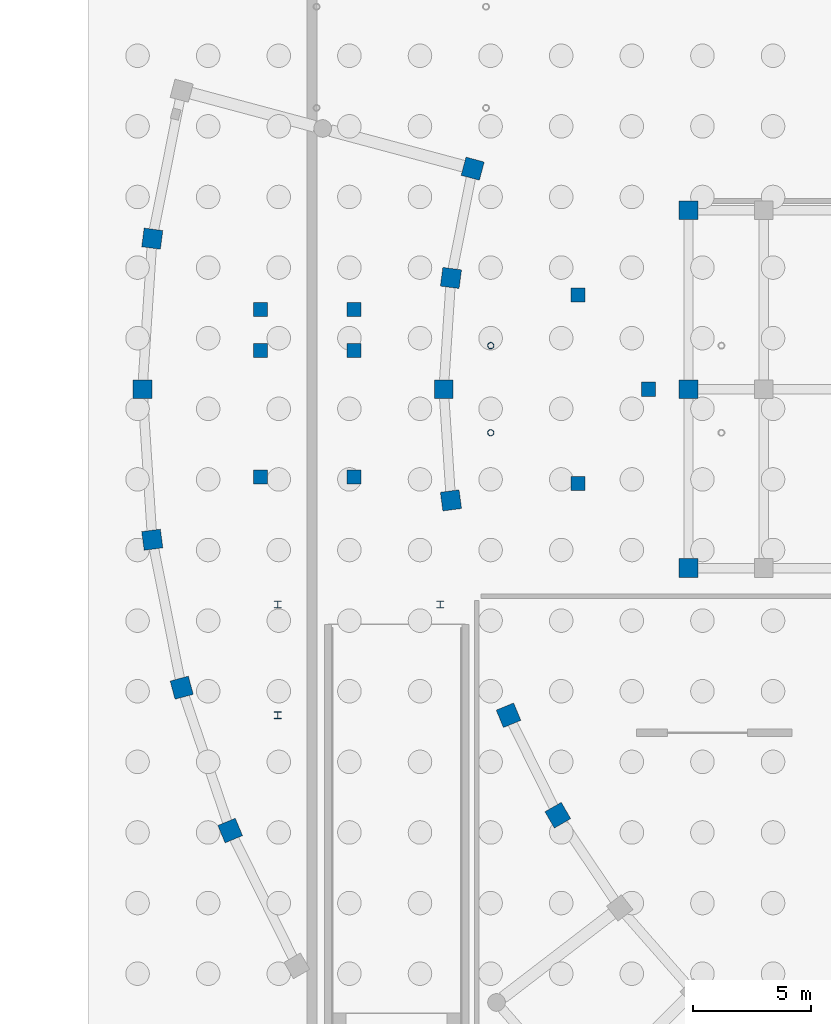
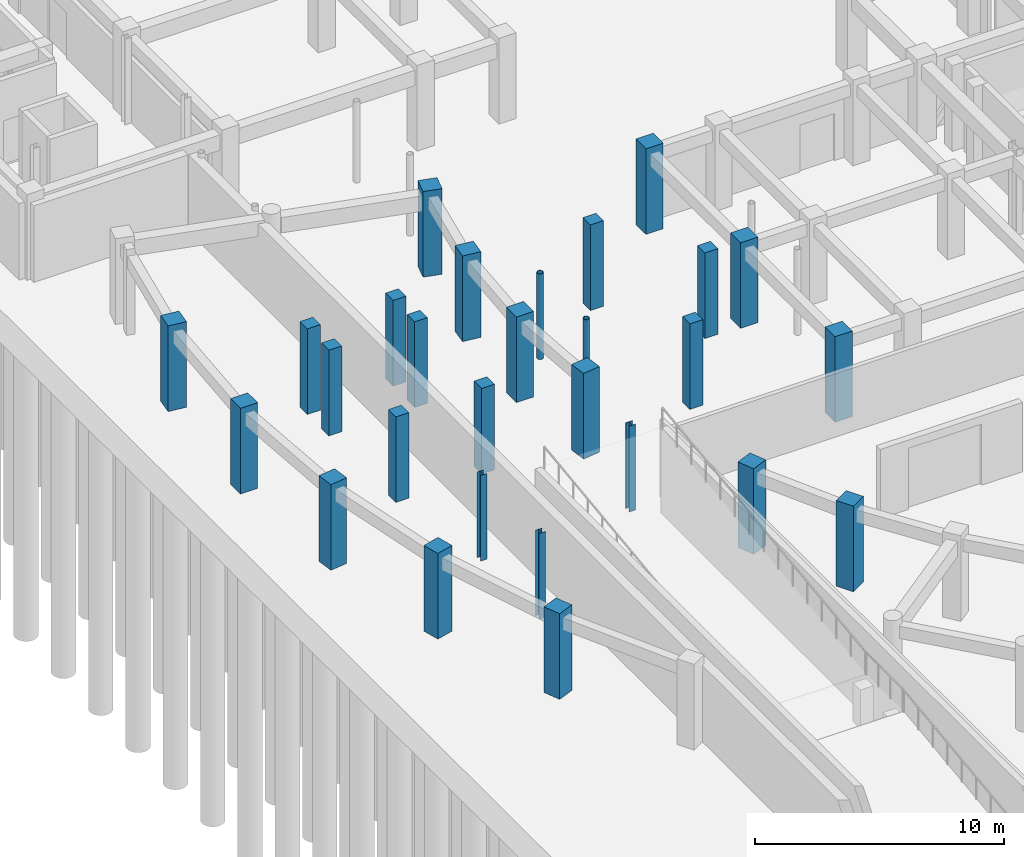
# One storey, part 9 of 33: 28 columns.
"""IFC4 building model written with IfcOpenShell, lengths in metres."""

from ifc_helpers import new_model, si_unit, direction, frame, origin, origin_2d, place, context, subcontext, project, spatial, rectangle, hollow_circle, i_section, extrude, material, material_profile, profile_set, type_object, element, save


model = new_model("IFC4")

# Units and contexts
model_context = context("Model", 3, precision=1e-05, world=origin(), true_north=direction((0.0, 1.0)))
body_context = subcontext(model_context, "Body", "Model", "MODEL_VIEW")
ifc_project = project(units=[si_unit("LENGTHUNIT", "METRE"), si_unit("AREAUNIT", "SQUARE_METRE"), si_unit("VOLUMEUNIT", "CUBIC_METRE"), si_unit("PLANEANGLEUNIT", "RADIAN"), si_unit("MASSUNIT", "GRAM", prefix="KILO")], contexts=[model_context])

# Site, building, storey
site_placement = place(None, origin())
site = spatial("IfcSite", under=ifc_project, at=site_placement, CompositionType="ELEMENT")
building_placement = place(site_placement, origin())
building = spatial("IfcBuilding", under=site, at=building_placement, Name="Saryqyr Civic Hall", CompositionType="ELEMENT")
storey_placement = place(building_placement, frame((0.0, 0.0, -4.199951171875)))
storey = spatial("IfcBuildingStorey", under=building, at=storey_placement, Name="B1", CompositionType="ELEMENT", Elevation=-4.199951171875)

# Columns
ifc_material_1 = material(Name="Steel S355", Category="steel")
ifc_material_profile_1 = material_profile(ifc_material_1, hollow_circle(Radius=0.136474609375, WallThickness=0.01611328125, at=origin_2d()), Name="CHS 273x16")
ifc_profile_set_1 = profile_set([ifc_material_profile_1], Name="Steel S355")
column_type_1 = type_object("IfcColumnType", Name="STR-COL-CHS273-S355", PredefinedType="COLUMN", material=ifc_profile_set_1)
for number, where, z_axis, x_axis, name in (
    (1, (22.800048828125, 82.14990234375, 0.0), (0.0, 0.0, 1.0), (1.0, 0.0, 0.0), "Column BRCOL-BR-CW-1-B1"),
    (2, (22.800048828125, 85.85009765625, 0.0), (0.0, 0.0, 1.0), (1.0, 0.0, 0.0), "Column BRCOL-BR-CW-4-B1"),
):
    element("IfcColumn", number, at=place(storey_placement, frame(where, z_axis=z_axis, x_axis=x_axis)), inside=storey, type_object=column_type_1, Name=name, PredefinedType="COLUMN", context=body_context, shape_type="SweptSolid", body=[
        extrude(hollow_circle(Radius=0.136474609375, WallThickness=0.01611328125, at=origin_2d()), origin(), (0.0, 0.0, 1.0), 4.199951171875),
    ])
ifc_material_profile_2 = material_profile(ifc_material_1, i_section(OverallWidth=0.300048828125, OverallDepth=0.2900390625, WebThickness=0.008544921875, FlangeThickness=0.013916015625, at=origin_2d()), Name="HEA 300")
ifc_profile_set_2 = profile_set([ifc_material_profile_2], Name="Steel S355")
column_type_2 = type_object("IfcColumnType", Name="STR-COL-HEA300-S355", PredefinedType="COLUMN", material=ifc_profile_set_2)
for number, where, z_axis, x_axis, name in (
    (3, (13.75, 70.14990234375, 0.0), (0.0, 0.0, 1.0), (1.0, 0.0, 0.0), "Column RGV4-COL-1-B1"),
    (4, (20.64990234375, 74.85009765625, 0.0), (0.0, 0.0, 1.0), (1.0, 0.0, 0.0), "Column RGV4-COL-3-B1"),
    (5, (13.75, 74.85009765625, 0.0), (0.0, 0.0, 1.0), (1.0, 0.0, 0.0), "Column RGV4-COL-4-B1"),
):
    element("IfcColumn", number, at=place(storey_placement, frame(where, z_axis=z_axis, x_axis=x_axis)), inside=storey, type_object=column_type_2, Name=name, PredefinedType="COLUMN", context=body_context, shape_type="SweptSolid", body=[
        extrude(i_section(OverallWidth=0.300048828125, OverallDepth=0.2900390625, WebThickness=0.008544921875, FlangeThickness=0.013916015625, at=origin_2d()), origin(), (0.0, 0.0, 1.0), 4.199951171875),
    ])
ifc_material_2 = material(Name="Concrete C40/50", Category="concrete")
ifc_material_profile_3 = material_profile(ifc_material_2, rectangle(XDim=0.60009765625, YDim=0.60009765625, at=origin_2d()), Name="RC 600x600")
ifc_profile_set_3 = profile_set([ifc_material_profile_3], Name="Concrete C40/50")
column_type_3 = type_object("IfcColumnType", Name="STR-COL-RC600-C40", PredefinedType="COLUMN", material=ifc_profile_set_3)
for number, where, z_axis, x_axis, name in (
    (6, (16.989990234375, 80.264892578125, 0.0), (0.0, 0.0, 1.0), (1.0, 0.0, 0.0), "Column ST-4-SCOL-TRMA-B1"),
    (7, (13.010009765625, 80.264892578125, 0.0), (0.0, 0.0, 1.0), (1.0, 0.0, 0.0), "Column ST-4-SCOL-TRMB-B1"),
    (8, (16.989990234375, 85.64990234375, 0.0), (0.0, 0.0, 1.0), (1.0, 0.0, 0.0), "Column ST-4-SCOL-LND1A-B1"),
    (9, (13.010009765625, 85.64990234375, 0.0), (0.0, 0.0, 1.0), (1.0, 0.0, 0.0), "Column ST-4-SCOL-LND1B-B1"),
    (10, (16.989990234375, 87.3798828125, 0.0), (0.0, 0.0, 1.0), (1.0, 0.0, 0.0), "Column ST-4-SCOL-LND2A-B1"),
    (11, (13.010009765625, 87.3798828125, 0.0), (0.0, 0.0, 1.0), (1.0, 0.0, 0.0), "Column ST-4-SCOL-LND2B-B1"),
    (12, (26.5, 80.0, 0.0), (0.0, 0.0, 1.0), (1.0, 0.0, 0.0), "Column V2-XCOL-01-B1"),
    (13, (26.5, 88.0, 0.0), (0.0, 0.0, 1.0), (1.0, 0.0, 0.0), "Column V2-XCOL-02-B1"),
    (14, (29.5, 84.0, 0.0), (0.0, 0.0, 1.0), (1.0, 0.0, 0.0), "Column V2-XCOL-03-B1"),
):
    element("IfcColumn", number, at=place(storey_placement, frame(where, z_axis=z_axis, x_axis=x_axis)), inside=storey, type_object=column_type_3, Name=name, PredefinedType="COLUMN", context=body_context, shape_type="SweptSolid", body=[
        extrude(rectangle(XDim=0.60009765625, YDim=0.60009765625, at=origin_2d()), origin(), (0.0, 0.0, 1.0), 4.199951171875),
    ])
ifc_material_profile_4 = material_profile(ifc_material_2, rectangle(XDim=0.800048828125, YDim=0.800048828125, at=origin_2d()), Name="RC 800x800")
ifc_profile_set_4 = profile_set([ifc_material_profile_4], Name="Concrete C40/50")
column_type_4 = type_object("IfcColumnType", Name="STR-COL-RC800-C40", PredefinedType="COLUMN", material=ifc_profile_set_4)
for number, where, z_axis, x_axis, name in (
    (15, (31.199951171875, 76.39990234375, 0.0), (0.0, 0.0, 1.0), (1.0, 0.0, 0.0), "Column V1-COL-S0P01-B1"),
    (16, (31.199951171875, 84.0, 0.0), (0.0, 0.0, 1.0), (1.0, 0.0, 0.0), "Column V1-COL-S0P02-B1"),
    (17, (31.199951171875, 91.60009765625, 0.0), (0.0, 0.0, 1.0), (1.0, 0.0, 0.0), "Column V1-COL-S0P03-B1"),
    (18, (22.033447265625, 93.369140625, 0.0), (0.0, 0.0, 1.0), (-0.965925826289, 0.258819045103, 0.0), "Column V4-COL-IN00-B1"),
    (19, (21.109619140625, 88.72509765625, 0.0), (0.0, 0.0, 1.0), (-0.991444861374, 0.13052619222, 0.0), "Column V4-COL-IN01-B1"),
    (20, (8.419189453125, 90.395751953125, 0.0), (0.0, 0.0, 1.0), (-0.991444861374, 0.13052619222, 0.0), "Column V4-COL-OUT01-B1"),
    (21, (20.800048828125, 84.0, 0.0), (0.0, 0.0, 1.0), (-1.0, 0.0, 0.0), "Column V4-COL-IN02-B1"),
    (22, (8.0, 84.0, 0.0), (0.0, 0.0, 1.0), (-1.0, 0.0, 0.0), "Column V4-COL-OUT02-B1"),
    (23, (21.109619140625, 79.27490234375, 0.0), (0.0, 0.0, 1.0), (-0.991444861374, -0.13052619222, 0.0), "Column V4-COL-IN03-B1"),
    (24, (8.419189453125, 77.604248046875, 0.0), (0.0, 0.0, 1.0), (-0.991444861374, -0.13052619222, 0.0), "Column V4-COL-OUT03-B1"),
    (25, (9.669677734375, 71.31787109375, 0.0), (0.0, 0.0, 1.0), (-0.965925826289, -0.258819045103, 0.0), "Column V4-COL-OUT04-B1"),
    (26, (23.5556640625, 70.14697265625, 0.0), (0.0, 0.0, 1.0), (-0.923879532511, -0.382683432365, 0.0), "Column V4-COL-IN05-B1"),
    (27, (11.72998046875, 65.24853515625, 0.0), (0.0, 0.0, 1.0), (-0.923879532511, -0.382683432365, 0.0), "Column V4-COL-OUT05-B1"),
    (28, (25.64990234375, 65.89990234375, 0.0), (0.0, 0.0, 1.0), (-0.866025403784, -0.5, 0.0), "Column V4-COL-IN06-B1"),
):
    element("IfcColumn", number, at=place(storey_placement, frame(where, z_axis=z_axis, x_axis=x_axis)), inside=storey, type_object=column_type_4, Name=name, PredefinedType="COLUMN", context=body_context, shape_type="SweptSolid", body=[
        extrude(rectangle(XDim=0.800048828125, YDim=0.800048828125, at=origin_2d()), origin(), (0.0, 0.0, 1.0), 4.199951171875),
    ])

save(model, "model.ifc")
